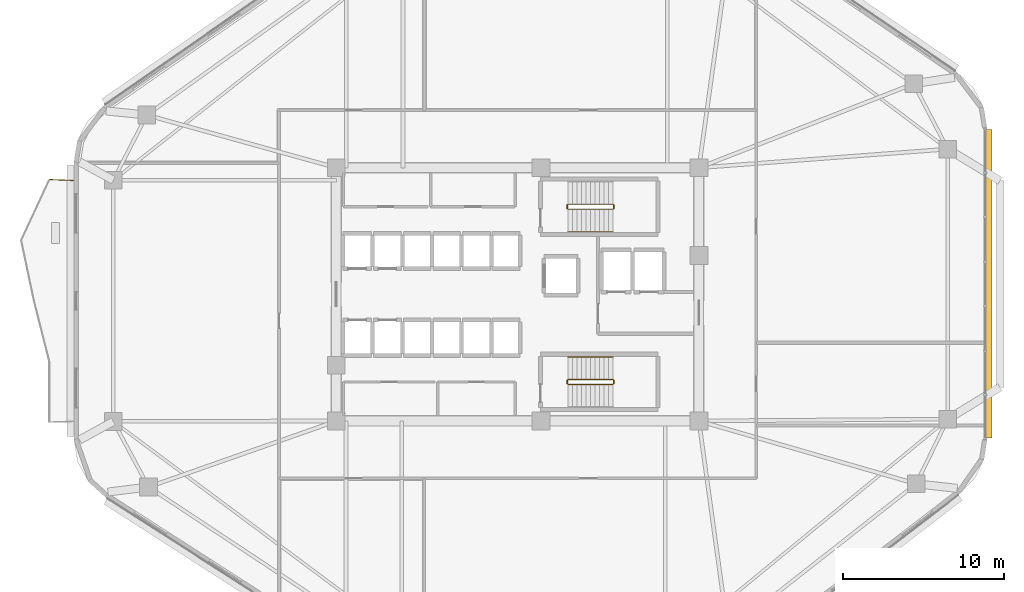
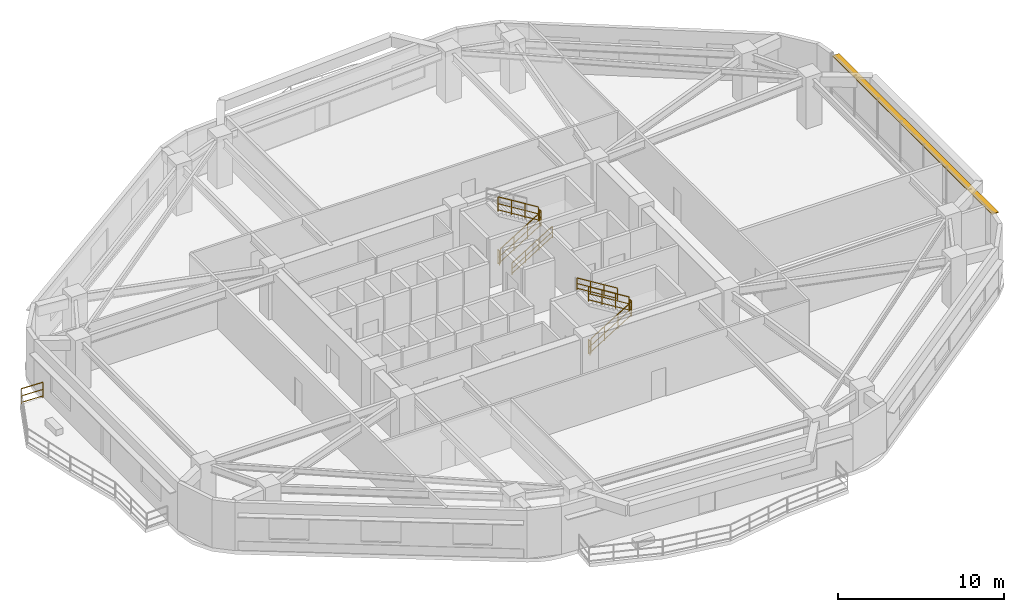
# One storey, part 12 of 13: 11 railings, 1 shading device.
"""IFC4 building model written with IfcOpenShell, lengths in metres."""

from ifc_helpers import new_model, si_unit, direction, frame, origin, origin_2d, place, context, subcontext, project, spatial, rectangle, extrude, material, layer, layer_set, type_object, element, save


model = new_model("IFC4")

# Units and contexts
model_context = context("Model", 3, precision=1e-05, world=origin(), true_north=direction((0.0, 1.0)))
body_context = subcontext(model_context, "Body", "Model", "MODEL_VIEW")
ifc_project = project(units=[si_unit("LENGTHUNIT", "METRE"), si_unit("AREAUNIT", "SQUARE_METRE"), si_unit("VOLUMEUNIT", "CUBIC_METRE"), si_unit("PLANEANGLEUNIT", "RADIAN"), si_unit("MASSUNIT", "GRAM", prefix="KILO")], contexts=[model_context])

# Site, building, storey
site_placement = place(None, origin())
site = spatial("IfcSite", under=ifc_project, at=site_placement, CompositionType="ELEMENT")
building_placement = place(site_placement, origin())
building = spatial("IfcBuilding", under=site, at=building_placement, Name="Zulverin Broadcast Headquarters", CompositionType="ELEMENT")
storey_placement = place(building_placement, frame((0.0, 0.0, 108.60009765625)))
storey = spatial("IfcBuildingStorey", under=building, at=storey_placement, Name="L27", CompositionType="ELEMENT", Elevation=108.60009765625)

# Railings
ifc_material_1 = material(Name="Brushed stainless steel & laminated glass balustrade", Category="steel")
railing_type_1 = type_object("IfcRailingType", Name="RL-GUARD-1150", PredefinedType="GUARDRAIL", material=ifc_material_1)
railing_1_placement = place(storey_placement, frame((9.360107421875, 32.284423828125, 0.0)))
element("IfcRailing", 1, at=railing_1_placement, inside=storey, type_object=railing_type_1, Name="L27 Vertical-Forest Balcony Guardrail BAL_W Segment 01", PredefinedType="GUARDRAIL", context=body_context, shape_type="SweptSolid", body=[
    extrude(rectangle(XDim=0.048095703125, YDim=0.048095703125, at=origin_2d()), frame((0.0, 0.0, 1.1259765625), z_axis=(-0.999181155166, 0.040460093435, 0.0), x_axis=(-0.040460093435, -0.999181155166, 0.0)), (0.0, 0.0, 1.0), 1.46630859375),
    extrude(rectangle(XDim=0.0419921875, YDim=0.0419921875, at=origin_2d()), frame((0.0, 0.0, 0.597900390625), z_axis=(-0.999181155166, 0.040460093435, 0.0), x_axis=(-0.040460093435, -0.999181155166, 0.0)), (0.0, 0.0, 1.0), 1.46630859375),
    extrude(rectangle(XDim=0.0419921875, YDim=0.0419921875, at=origin_2d()), frame((0.0, 0.0, 0.1201171875), z_axis=(-0.999181155166, 0.040460093435, 0.0), x_axis=(-0.040460093435, -0.999181155166, 0.0)), (0.0, 0.0, 1.0), 1.46630859375),
    extrude(rectangle(XDim=0.0419921875, YDim=0.0419921875, at=origin_2d()), origin(), (0.0, 0.0, 1.0), 1.101806640625),
    extrude(rectangle(XDim=0.0419921875, YDim=0.0419921875, at=origin_2d()), frame((-1.465087890625, 0.059326171875, 0.0)), (0.0, 0.0, 1.0), 1.101806640625),
])
ifc_material_2 = material(Name="Painted galvanized steel tubular guardrail S355JR", Category="steel")
railing_type_2 = type_object("IfcRailingType", Name="RL-ST-GUARD", PredefinedType="GUARDRAIL", material=ifc_material_2)
railing_2_placement = place(storey_placement, frame((40.1298828125, 30.5, 0.172607421875)))
element("IfcRailing", 2, at=railing_2_placement, inside=storey, type_object=railing_type_2, Name="L27 ST-1 stair guard 1", PredefinedType="GUARDRAIL", context=body_context, shape_type="SweptSolid", body=[
    extrude(rectangle(XDim=0.048095703125, YDim=0.048095703125, at=origin_2d()), frame((0.0, 0.0, 1.076171875), z_axis=(0.851089632645, 0.0, 0.525020415988), x_axis=(0.0, 1.0, 0.0)), (0.0, 0.0, 1.0), 3.2900390625),
    extrude(rectangle(XDim=0.0419921875, YDim=0.0419921875, at=origin_2d()), frame((0.0, 0.0, 0.572021484375), z_axis=(0.851089632645, 0.0, 0.525020415988), x_axis=(0.0, 1.0, 0.0)), (0.0, 0.0, 1.0), 3.2900390625),
    extrude(rectangle(XDim=0.0419921875, YDim=0.0419921875, at=origin_2d()), frame((0.0, 0.0, 0.1201171875), z_axis=(0.851089632645, 0.0, 0.525020415988), x_axis=(0.0, 1.0, 0.0)), (0.0, 0.0, 1.0), 3.2900390625),
    extrude(rectangle(XDim=0.0419921875, YDim=0.0419921875, at=origin_2d()), origin(), (0.0, 0.0, 1.0), 1.052001953125),
    extrude(rectangle(XDim=0.0419921875, YDim=0.0419921875, at=origin_2d()), frame((0.933349609375, 0.0, 0.57568359375)), (0.0, 0.0, 1.0), 1.052001953125),
    extrude(rectangle(XDim=0.0419921875, YDim=0.0419921875, at=origin_2d()), frame((1.86669921875, 0.0, 1.151611328125)), (0.0, 0.0, 1.0), 1.052001953125),
    extrude(rectangle(XDim=0.0419921875, YDim=0.0419921875, at=origin_2d()), frame((2.800048828125, 0.0, 1.727294921875)), (0.0, 0.0, 1.0), 1.052001953125),
])
railing_3_placement = place(storey_placement, frame((42.97998046875, 30.550048828125, 1.89990234375)))
element("IfcRailing", 3, at=railing_3_placement, inside=storey, type_object=railing_type_2, Name="L27 ST-1 stair guard 2", PredefinedType="GUARDRAIL", context=body_context, shape_type="SweptSolid", body=[
    extrude(rectangle(XDim=0.048095703125, YDim=0.048095703125, at=origin_2d()), frame((0.0, 0.0, 1.076171875), z_axis=(0.0, 1.0, 0.0), x_axis=(-1.0, 0.0, 0.0)), (0.0, 0.0, 1.0), 0.199951171875),
    extrude(rectangle(XDim=0.0419921875, YDim=0.0419921875, at=origin_2d()), frame((0.0, 0.0, 0.572021484375), z_axis=(0.0, 1.0, 0.0), x_axis=(-1.0, 0.0, 0.0)), (0.0, 0.0, 1.0), 0.199951171875),
    extrude(rectangle(XDim=0.0419921875, YDim=0.0419921875, at=origin_2d()), frame((0.0, 0.0, 0.1201171875), z_axis=(0.0, 1.0, 0.0), x_axis=(-1.0, 0.0, 0.0)), (0.0, 0.0, 1.0), 0.199951171875),
    extrude(rectangle(XDim=0.0419921875, YDim=0.0419921875, at=origin_2d()), origin(), (0.0, 0.0, 1.0), 1.052001953125),
    extrude(rectangle(XDim=0.0419921875, YDim=0.0419921875, at=origin_2d()), frame((0.0, 0.199951171875, 0.0)), (0.0, 0.0, 1.0), 1.052001953125),
])
railing_4_placement = place(storey_placement, frame((42.929931640625, 30.800048828125, 2.072509765625)))
element("IfcRailing", 4, at=railing_4_placement, inside=storey, type_object=railing_type_2, Name="L27 ST-1 stair guard 3", PredefinedType="GUARDRAIL", context=body_context, shape_type="SweptSolid", body=[
    extrude(rectangle(XDim=0.048095703125, YDim=0.048095703125, at=origin_2d()), frame((0.0, 0.0, 1.076171875), z_axis=(-0.851089632645, 0.0, 0.525020415988), x_axis=(0.0, -1.0, 0.0)), (0.0, 0.0, 1.0), 3.2900390625),
    extrude(rectangle(XDim=0.0419921875, YDim=0.0419921875, at=origin_2d()), frame((0.0, 0.0, 0.572021484375), z_axis=(-0.851089632645, 0.0, 0.525020415988), x_axis=(0.0, -1.0, 0.0)), (0.0, 0.0, 1.0), 3.2900390625),
    extrude(rectangle(XDim=0.0419921875, YDim=0.0419921875, at=origin_2d()), frame((0.0, 0.0, 0.1201171875), z_axis=(-0.851089632645, 0.0, 0.525020415988), x_axis=(0.0, -1.0, 0.0)), (0.0, 0.0, 1.0), 3.2900390625),
    extrude(rectangle(XDim=0.0419921875, YDim=0.0419921875, at=origin_2d()), origin(), (0.0, 0.0, 1.0), 1.052001953125),
    extrude(rectangle(XDim=0.0419921875, YDim=0.0419921875, at=origin_2d()), frame((-0.933349609375, 0.0, 0.57568359375)), (0.0, 0.0, 1.0), 1.052001953125),
    extrude(rectangle(XDim=0.0419921875, YDim=0.0419921875, at=origin_2d()), frame((-1.86669921875, 0.0, 1.151611328125)), (0.0, 0.0, 1.0), 1.052001953125),
    extrude(rectangle(XDim=0.0419921875, YDim=0.0419921875, at=origin_2d()), frame((-2.800048828125, 0.0, 1.727294921875)), (0.0, 0.0, 1.0), 1.052001953125),
])
railing_5_placement = place(storey_placement, frame((40.080078125, 30.550048828125, 0.0)))
element("IfcRailing", 5, at=railing_5_placement, inside=storey, type_object=railing_type_2, Name="L27 ST-1 stair guard 4", PredefinedType="GUARDRAIL", context=body_context, shape_type="SweptSolid", body=[
    extrude(rectangle(XDim=0.048095703125, YDim=0.048095703125, at=origin_2d()), frame((0.0, 0.0, 1.076171875), z_axis=(0.0, 1.0, 0.0), x_axis=(-1.0, 0.0, 0.0)), (0.0, 0.0, 1.0), 0.199951171875),
    extrude(rectangle(XDim=0.0419921875, YDim=0.0419921875, at=origin_2d()), frame((0.0, 0.0, 0.572021484375), z_axis=(0.0, 1.0, 0.0), x_axis=(-1.0, 0.0, 0.0)), (0.0, 0.0, 1.0), 0.199951171875),
    extrude(rectangle(XDim=0.0419921875, YDim=0.0419921875, at=origin_2d()), frame((0.0, 0.0, 0.1201171875), z_axis=(0.0, 1.0, 0.0), x_axis=(-1.0, 0.0, 0.0)), (0.0, 0.0, 1.0), 0.199951171875),
    extrude(rectangle(XDim=0.0419921875, YDim=0.0419921875, at=origin_2d()), origin(), (0.0, 0.0, 1.0), 1.052001953125),
    extrude(rectangle(XDim=0.0419921875, YDim=0.0419921875, at=origin_2d()), frame((0.0, 0.199951171875, 0.0)), (0.0, 0.0, 1.0), 1.052001953125),
])
railing_6_placement = place(storey_placement, frame((40.1298828125, 19.60009765625, 0.172607421875)))
element("IfcRailing", 6, at=railing_6_placement, inside=storey, type_object=railing_type_2, Name="L27 ST-2 stair guard 1", PredefinedType="GUARDRAIL", context=body_context, shape_type="SweptSolid", body=[
    extrude(rectangle(XDim=0.048095703125, YDim=0.048095703125, at=origin_2d()), frame((0.0, 0.0, 1.076171875), z_axis=(0.851089632645, 0.0, 0.525020415988), x_axis=(0.0, 1.0, 0.0)), (0.0, 0.0, 1.0), 3.2900390625),
    extrude(rectangle(XDim=0.0419921875, YDim=0.0419921875, at=origin_2d()), frame((0.0, 0.0, 0.572021484375), z_axis=(0.851089632645, 0.0, 0.525020415988), x_axis=(0.0, 1.0, 0.0)), (0.0, 0.0, 1.0), 3.2900390625),
    extrude(rectangle(XDim=0.0419921875, YDim=0.0419921875, at=origin_2d()), frame((0.0, 0.0, 0.1201171875), z_axis=(0.851089632645, 0.0, 0.525020415988), x_axis=(0.0, 1.0, 0.0)), (0.0, 0.0, 1.0), 3.2900390625),
    extrude(rectangle(XDim=0.0419921875, YDim=0.0419921875, at=origin_2d()), origin(), (0.0, 0.0, 1.0), 1.052001953125),
    extrude(rectangle(XDim=0.0419921875, YDim=0.0419921875, at=origin_2d()), frame((0.933349609375, 0.0, 0.57568359375)), (0.0, 0.0, 1.0), 1.052001953125),
    extrude(rectangle(XDim=0.0419921875, YDim=0.0419921875, at=origin_2d()), frame((1.86669921875, 0.0, 1.151611328125)), (0.0, 0.0, 1.0), 1.052001953125),
    extrude(rectangle(XDim=0.0419921875, YDim=0.0419921875, at=origin_2d()), frame((2.800048828125, 0.0, 1.727294921875)), (0.0, 0.0, 1.0), 1.052001953125),
])
railing_7_placement = place(storey_placement, frame((42.97998046875, 19.64990234375, 1.89990234375)))
element("IfcRailing", 7, at=railing_7_placement, inside=storey, type_object=railing_type_2, Name="L27 ST-2 stair guard 2", PredefinedType="GUARDRAIL", context=body_context, shape_type="SweptSolid", body=[
    extrude(rectangle(XDim=0.048095703125, YDim=0.048095703125, at=origin_2d()), frame((0.0, 0.0, 1.076171875), z_axis=(0.0, 1.0, 0.0), x_axis=(-1.0, 0.0, 0.0)), (0.0, 0.0, 1.0), 0.2001953125),
    extrude(rectangle(XDim=0.0419921875, YDim=0.0419921875, at=origin_2d()), frame((0.0, 0.0, 0.572021484375), z_axis=(0.0, 1.0, 0.0), x_axis=(-1.0, 0.0, 0.0)), (0.0, 0.0, 1.0), 0.2001953125),
    extrude(rectangle(XDim=0.0419921875, YDim=0.0419921875, at=origin_2d()), frame((0.0, 0.0, 0.1201171875), z_axis=(0.0, 1.0, 0.0), x_axis=(-1.0, 0.0, 0.0)), (0.0, 0.0, 1.0), 0.2001953125),
    extrude(rectangle(XDim=0.0419921875, YDim=0.0419921875, at=origin_2d()), origin(), (0.0, 0.0, 1.0), 1.052001953125),
    extrude(rectangle(XDim=0.0419921875, YDim=0.0419921875, at=origin_2d()), frame((0.0, 0.2001953125, 0.0)), (0.0, 0.0, 1.0), 1.052001953125),
])
railing_8_placement = place(storey_placement, frame((42.929931640625, 19.89990234375, 2.072509765625)))
element("IfcRailing", 8, at=railing_8_placement, inside=storey, type_object=railing_type_2, Name="L27 ST-2 stair guard 3", PredefinedType="GUARDRAIL", context=body_context, shape_type="SweptSolid", body=[
    extrude(rectangle(XDim=0.048095703125, YDim=0.048095703125, at=origin_2d()), frame((0.0, 0.0, 1.076171875), z_axis=(-0.851089632645, 0.0, 0.525020415988), x_axis=(0.0, -1.0, 0.0)), (0.0, 0.0, 1.0), 3.2900390625),
    extrude(rectangle(XDim=0.0419921875, YDim=0.0419921875, at=origin_2d()), frame((0.0, 0.0, 0.572021484375), z_axis=(-0.851089632645, 0.0, 0.525020415988), x_axis=(0.0, -1.0, 0.0)), (0.0, 0.0, 1.0), 3.2900390625),
    extrude(rectangle(XDim=0.0419921875, YDim=0.0419921875, at=origin_2d()), frame((0.0, 0.0, 0.1201171875), z_axis=(-0.851089632645, 0.0, 0.525020415988), x_axis=(0.0, -1.0, 0.0)), (0.0, 0.0, 1.0), 3.2900390625),
    extrude(rectangle(XDim=0.0419921875, YDim=0.0419921875, at=origin_2d()), origin(), (0.0, 0.0, 1.0), 1.052001953125),
    extrude(rectangle(XDim=0.0419921875, YDim=0.0419921875, at=origin_2d()), frame((-0.933349609375, 0.0, 0.57568359375)), (0.0, 0.0, 1.0), 1.052001953125),
    extrude(rectangle(XDim=0.0419921875, YDim=0.0419921875, at=origin_2d()), frame((-1.86669921875, 0.0, 1.151611328125)), (0.0, 0.0, 1.0), 1.052001953125),
    extrude(rectangle(XDim=0.0419921875, YDim=0.0419921875, at=origin_2d()), frame((-2.800048828125, 0.0, 1.727294921875)), (0.0, 0.0, 1.0), 1.052001953125),
])
railing_9_placement = place(storey_placement, frame((40.080078125, 19.64990234375, 0.0)))
element("IfcRailing", 9, at=railing_9_placement, inside=storey, type_object=railing_type_2, Name="L27 ST-2 stair guard 4", PredefinedType="GUARDRAIL", context=body_context, shape_type="SweptSolid", body=[
    extrude(rectangle(XDim=0.048095703125, YDim=0.048095703125, at=origin_2d()), frame((0.0, 0.0, 1.076171875), z_axis=(0.0, 1.0, 0.0), x_axis=(-1.0, 0.0, 0.0)), (0.0, 0.0, 1.0), 0.2001953125),
    extrude(rectangle(XDim=0.0419921875, YDim=0.0419921875, at=origin_2d()), frame((0.0, 0.0, 0.572021484375), z_axis=(0.0, 1.0, 0.0), x_axis=(-1.0, 0.0, 0.0)), (0.0, 0.0, 1.0), 0.2001953125),
    extrude(rectangle(XDim=0.0419921875, YDim=0.0419921875, at=origin_2d()), frame((0.0, 0.0, 0.1201171875), z_axis=(0.0, 1.0, 0.0), x_axis=(-1.0, 0.0, 0.0)), (0.0, 0.0, 1.0), 0.2001953125),
    extrude(rectangle(XDim=0.0419921875, YDim=0.0419921875, at=origin_2d()), origin(), (0.0, 0.0, 1.0), 1.052001953125),
    extrude(rectangle(XDim=0.0419921875, YDim=0.0419921875, at=origin_2d()), frame((0.0, 0.2001953125, 0.0)), (0.0, 0.0, 1.0), 1.052001953125),
])
ifc_material_3 = material(Name="Brushed stainless steel 48 mm handrail", Category="steel")
railing_type_3 = type_object("IfcRailingType", Name="RL-ST-HAND", PredefinedType="HANDRAIL", material=ifc_material_3)
railing_10_placement = place(storey_placement, frame((40.1298828125, 29.10009765625, 0.172607421875)))
element("IfcRailing", 10, at=railing_10_placement, inside=storey, type_object=railing_type_3, Name="L27 ST-1 stair handrail 1", PredefinedType="HANDRAIL", context=body_context, shape_type="SweptSolid", body=[
    extrude(rectangle(XDim=0.048095703125, YDim=0.048095703125, at=origin_2d()), frame((0.0, 0.0, 0.8759765625), z_axis=(0.851089632645, 0.0, 0.525020415988), x_axis=(0.0, 1.0, 0.0)), (0.0, 0.0, 1.0), 3.2900390625),
    extrude(rectangle(XDim=0.0419921875, YDim=0.0419921875, at=origin_2d()), frame((0.0, 0.0, 0.468017578125), z_axis=(0.851089632645, 0.0, 0.525020415988), x_axis=(0.0, 1.0, 0.0)), (0.0, 0.0, 1.0), 3.2900390625),
    extrude(rectangle(XDim=0.0419921875, YDim=0.0419921875, at=origin_2d()), frame((0.0, 0.0, 0.1201171875), z_axis=(0.851089632645, 0.0, 0.525020415988), x_axis=(0.0, 1.0, 0.0)), (0.0, 0.0, 1.0), 3.2900390625),
    extrude(rectangle(XDim=0.0419921875, YDim=0.0419921875, at=origin_2d()), origin(), (0.0, 0.0, 1.0), 0.851806640625),
    extrude(rectangle(XDim=0.0419921875, YDim=0.0419921875, at=origin_2d()), frame((0.933349609375, 0.0, 0.57568359375)), (0.0, 0.0, 1.0), 0.851806640625),
    extrude(rectangle(XDim=0.0419921875, YDim=0.0419921875, at=origin_2d()), frame((1.86669921875, 0.0, 1.151611328125)), (0.0, 0.0, 1.0), 0.851806640625),
    extrude(rectangle(XDim=0.0419921875, YDim=0.0419921875, at=origin_2d()), frame((2.800048828125, 0.0, 1.727294921875)), (0.0, 0.0, 1.0), 0.851806640625),
])
railing_11_placement = place(storey_placement, frame((42.929931640625, 21.300048828125, 2.072509765625)))
element("IfcRailing", 11, at=railing_11_placement, inside=storey, type_object=railing_type_3, Name="L27 ST-2 stair handrail 2", PredefinedType="HANDRAIL", context=body_context, shape_type="SweptSolid", body=[
    extrude(rectangle(XDim=0.048095703125, YDim=0.048095703125, at=origin_2d()), frame((0.0, 0.0, 0.8759765625), z_axis=(-0.851089632645, 0.0, 0.525020415988), x_axis=(0.0, -1.0, 0.0)), (0.0, 0.0, 1.0), 3.2900390625),
    extrude(rectangle(XDim=0.0419921875, YDim=0.0419921875, at=origin_2d()), frame((0.0, 0.0, 0.468017578125), z_axis=(-0.851089632645, 0.0, 0.525020415988), x_axis=(0.0, -1.0, 0.0)), (0.0, 0.0, 1.0), 3.2900390625),
    extrude(rectangle(XDim=0.0419921875, YDim=0.0419921875, at=origin_2d()), frame((0.0, 0.0, 0.1201171875), z_axis=(-0.851089632645, 0.0, 0.525020415988), x_axis=(0.0, -1.0, 0.0)), (0.0, 0.0, 1.0), 3.2900390625),
    extrude(rectangle(XDim=0.0419921875, YDim=0.0419921875, at=origin_2d()), origin(), (0.0, 0.0, 1.0), 0.851806640625),
    extrude(rectangle(XDim=0.0419921875, YDim=0.0419921875, at=origin_2d()), frame((-0.933349609375, 0.0, 0.57568359375)), (0.0, 0.0, 1.0), 0.851806640625),
    extrude(rectangle(XDim=0.0419921875, YDim=0.0419921875, at=origin_2d()), frame((-1.86669921875, 0.0, 1.151611328125)), (0.0, 0.0, 1.0), 0.851806640625),
    extrude(rectangle(XDim=0.0419921875, YDim=0.0419921875, at=origin_2d()), frame((-2.800048828125, 0.0, 1.727294921875)), (0.0, 0.0, 1.0), 0.851806640625),
])

# Shading device
ifc_material_4 = material(Name="Anodized pale-metal aluminium sunshade", Category="aluminium")
ifc_layer = layer(ifc_material_4, 0.06005859375, Name="Anodized pale-metal aluminium sunshade", Category="aluminium")
ifc_layer_set = layer_set([ifc_layer], Name="Anodized pale-metal aluminium sunshade")
shading_device_type = type_object("IfcShadingDeviceType", Name="SS-01_PALE_METAL_ALUMINIUM_SUNSHADE", PredefinedType="USERDEFINED", material=ifc_layer_set)
shading_device_placement = place(storey_placement, frame((66.280029296875, 25.848876953125, 3.294921875), z_axis=(0.0, 0.0, 1.0), x_axis=(0.0, 1.0, 0.0)))
element("IfcShadingDevice", 12, at=shading_device_placement, inside=storey, type_object=shading_device_type, Name="L27 Pale-Metal Horizontal Sunshade Band CW-L27-E3", ObjectType="SUNSHADE", PredefinedType="USERDEFINED", context=body_context, shape_type="SweptSolid", body=[
    extrude(rectangle(XDim=19.191162109375, YDim=0.449951171875, at=origin_2d()), origin(), (0.0, 0.0, 1.0), 0.06005859375),
])

save(model, "model.ifc")
